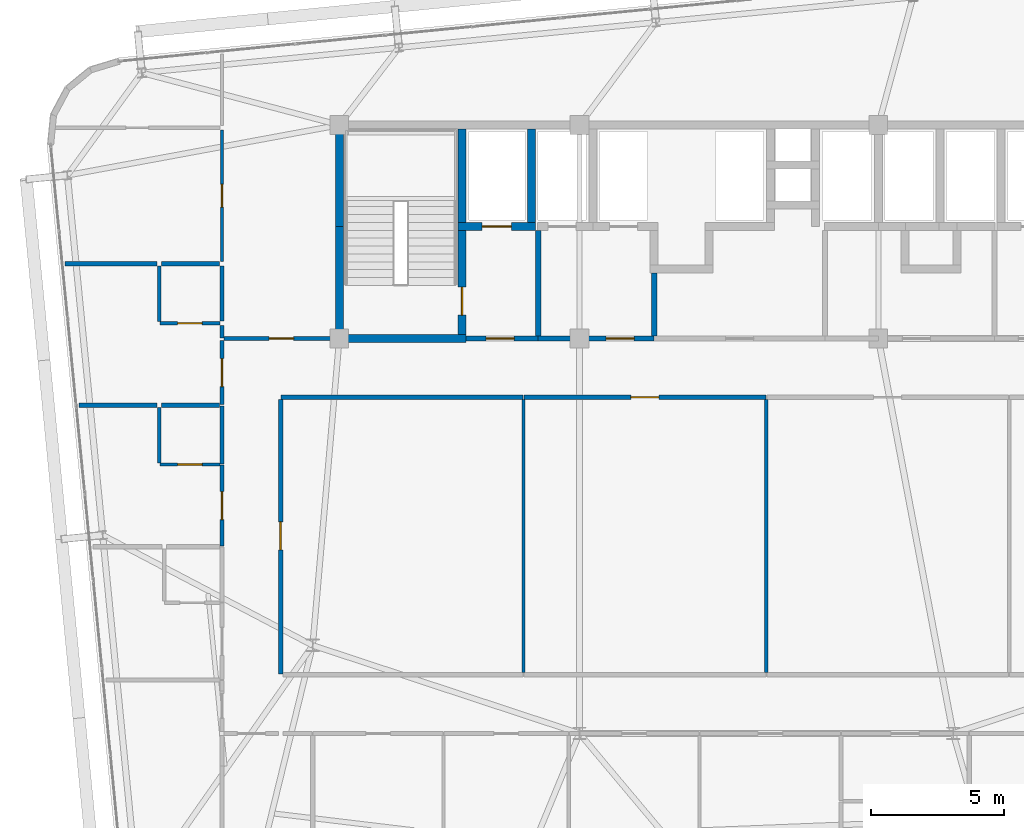
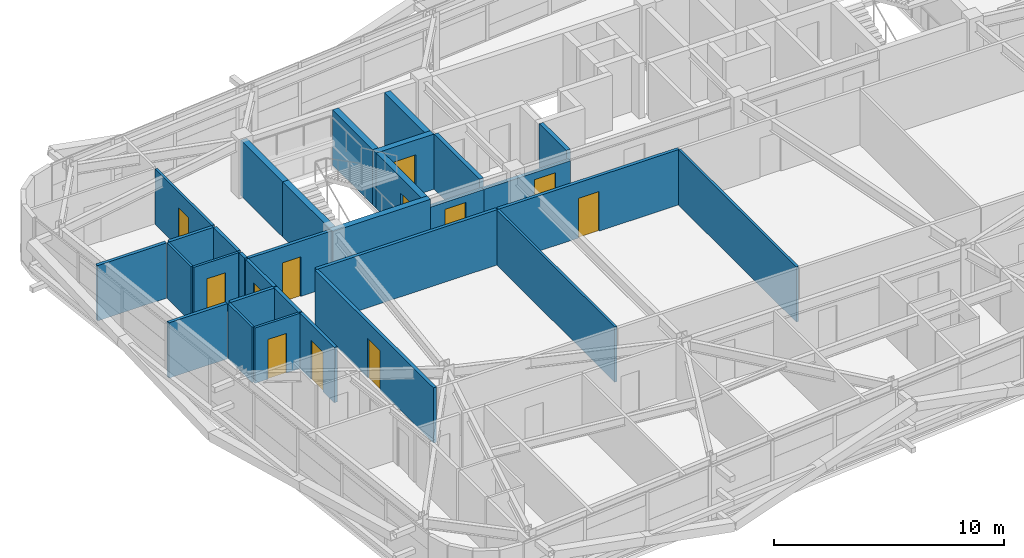
# One storey, part 47 of 53: 31 walls, 12 doors, 12 openings.
"""IFC4 building model written with IfcOpenShell, lengths in metres."""

from ifc_helpers import new_model, si_unit, direction, frame, frame_2d, origin, place, context, subcontext, project, spatial, rectangle, extrude, source, transform, mapped, material, layer, layer_set, type_object, element, fill, save


model = new_model("IFC4")

# Units and contexts
model_context = context("Model", 3, precision=1e-05, world=origin(), true_north=direction((0.0, 1.0)))
body_context = subcontext(model_context, "Body", "Model", "MODEL_VIEW")
ifc_project = project(units=[si_unit("LENGTHUNIT", "METRE"), si_unit("AREAUNIT", "SQUARE_METRE"), si_unit("VOLUMEUNIT", "CUBIC_METRE"), si_unit("PLANEANGLEUNIT", "RADIAN"), si_unit("MASSUNIT", "GRAM", prefix="KILO")], contexts=[model_context])

# Site, building, storey
site_placement = place(None, origin())
site = spatial("IfcSite", under=ifc_project, at=site_placement, CompositionType="ELEMENT")
building_placement = place(site_placement, origin())
building = spatial("IfcBuilding", under=site, at=building_placement, Name="Taldren Reach Tower", CompositionType="ELEMENT")
storey_placement = place(building_placement, frame((0.0, 0.0, 71.39990234375)))
storey = spatial("IfcBuildingStorey", under=building, at=storey_placement, Name="L21", CompositionType="ELEMENT", Elevation=71.39990234375)

# Wall, opening, door
ifc_material_1 = material(Name="Concrete S50 (50 MPa)", Category="concrete")
ifc_layer_1 = layer(ifc_material_1, 0.199951171875)
ifc_layer_set_1 = layer_set([ifc_layer_1], Name="Concrete S50 (50 MPa)")
wall_type_1 = type_object("IfcWallType", Name="IW-CORE-200", PredefinedType="SOLIDWALL", material=ifc_layer_set_1)
shared_shape_1 = source(origin(), body_context, "Body", "SweptSolid", [
    extrude(rectangle(XDim=4.35009765625, YDim=0.199951171875, at=frame_2d((2.175048828125, 0.0))), origin(), (0.0, 0.0, 1.0), 2.47021484375),
])
wall_1_placement = place(storey_placement, frame((30.800048828125, 24.0, 0.0), z_axis=(0.0, 0.0, 1.0), x_axis=(-1.0, 0.0, 0.0)))
wall_1 = element("IfcWall", 1, at=wall_1_placement, inside=storey, type_object=wall_type_1, Name="Rear Core Shear Wall W-INT-L21-033", PredefinedType="SOLIDWALL", context=body_context, shape_type="MappedRepresentation", body=[
    mapped(shared_shape_1, transform((0.0, 0.0, 0.0), scale=1.0)),
])
shared_shape_2 = source(origin(), body_context, "Body", "SweptSolid", [
    extrude(rectangle(XDim=1.050048828125, YDim=2.10009765625, at=frame_2d((0.52490234375, 1.050048828125))), frame((0.0, 0.10986328125, 0.0), z_axis=(0.0, -1.0, 0.0), x_axis=(1.0, 0.0, 0.0)), (0.0, 0.0, 1.0), 0.219970703125),
])
opening_1_placement = place(wall_1_placement, frame((0.75, 0.0, 0.0)))
opening_1 = element("IfcOpeningElement", 2, at=opening_1_placement, cuts=wall_1, Name="Opening DF-105", PredefinedType="OPENING", context=body_context, shape_type="MappedRepresentation", body=[
    mapped(shared_shape_2, transform((0.0, 0.0, 0.0), scale=1.0)),
])
ifc_material_2 = material(Name="Fire-Rated Care and Stair Exit Door")
door_type_1 = type_object("IfcDoorType", Name="ID-FIRE-105", OperationType="NOTDEFINED", PredefinedType="DOOR", material=ifc_material_2)
shared_shape_3 = source(origin(), body_context, "Body", "SweptSolid", [
    extrude(rectangle(XDim=1.050048828125, YDim=2.10009765625, at=frame_2d((0.52490234375, 1.050048828125))), frame((0.0, 0.02490234375, 0.0), z_axis=(0.0, -1.0, 0.0), x_axis=(1.0, 0.0, 0.0)), (0.0, 0.0, 1.0), 0.050048828125),
])
door_1_placement = place(opening_1_placement, frame((1.050048828125, 0.0, 0.0), z_axis=(0.0, 0.0, 1.0), x_axis=(-1.0, 0.0, 0.0)))
door_1 = element("IfcDoor", 3, at=door_1_placement, inside=storey, type_object=door_type_1, Name="Interior Door DR-L21-005", OperationType="SINGLE_SWING_RIGHT", OverallHeight=2.10009765625, OverallWidth=1.050048828125, PredefinedType="DOOR", context=body_context, shape_type="MappedRepresentation", body=[
    mapped(shared_shape_3, transform((0.0, 0.0, 0.0), scale=1.0)),
])
fill(opening_1, door_1)

ifc_material_3 = material(Name="Fire-Rated Acoustic Plasterboard Stud Wall", Category="gypsum")
ifc_layer_2 = layer(ifc_material_3, 0.159912109375)
ifc_layer_set_2 = layer_set([ifc_layer_2], Name="Fire-Rated Acoustic Plasterboard Stud Wall")
wall_type_2 = type_object("IfcWallType", Name="IW-FIRE-160", PredefinedType="PARTITIONING", material=ifc_layer_set_2)
shared_shape_4 = source(origin(), body_context, "Body", "SweptSolid", [
    extrude(rectangle(XDim=2.399658203125, YDim=0.159912109375, at=frame_2d((1.19970703125, 0.0))), origin(), (0.0, 0.0, 1.0), 2.93017578125),
])
wall_2_placement = place(storey_placement, frame((14.60009765625, 21.520263671875, 0.0), z_axis=(0.0, 0.0, 1.0), x_axis=(0.0, 1.0, 0.0)))
wall_2 = element("IfcWall", 4, at=wall_2_placement, inside=storey, type_object=wall_type_2, Name="Interior Partition Wall W-INT-L21-058", PredefinedType="PARTITIONING", context=body_context, shape_type="MappedRepresentation", body=[
    mapped(shared_shape_4, transform((0.0, 0.0, 0.0), scale=1.0)),
])
shared_shape_5 = source(origin(), body_context, "Body", "SweptSolid", [
    extrude(rectangle(XDim=1.050048828125, YDim=2.10009765625, at=frame_2d((0.52490234375, 1.050048828125))), frame((0.0, 0.08984375, 0.0), z_axis=(0.0, -1.0, 0.0), x_axis=(1.0, 0.0, 0.0)), (0.0, 0.0, 1.0), 0.179931640625),
])
opening_2_placement = place(wall_2_placement, frame((0.6748046875, 0.0, 0.0)))
opening_2 = element("IfcOpeningElement", 5, at=opening_2_placement, cuts=wall_2, Name="Opening DF-105", PredefinedType="OPENING", context=body_context, shape_type="MappedRepresentation", body=[
    mapped(shared_shape_5, transform((0.0, 0.0, 0.0), scale=1.0)),
])
door_2_placement = place(opening_2_placement, origin())
door_2 = element("IfcDoor", 6, at=door_2_placement, inside=storey, type_object=door_type_1, Name="Interior Door DR-L21-017", OperationType="SINGLE_SWING_RIGHT", OverallHeight=2.10009765625, OverallWidth=1.050048828125, PredefinedType="DOOR", context=body_context, shape_type="MappedRepresentation", body=[
    mapped(shared_shape_3, transform((0.0, 0.0, 0.0), scale=1.0)),
])
fill(opening_2, door_2)

# Walls
ifc_material_4 = material(Name="Concrete S65 (65 MPa)", Category="concrete")
ifc_layer_3 = layer(ifc_material_4, 0.300048828125)
ifc_layer_set_3 = layer_set([ifc_layer_3], Name="Concrete S65 (65 MPa)")
wall_type_3 = type_object("IfcWallType", Name="IW-CORE-300", PredefinedType="SHEAR", material=ifc_layer_set_3)
shared_shape_6 = source(origin(), body_context, "Body", "SweptSolid", [
    extrude(rectangle(XDim=4.050048828125, YDim=0.300048828125, at=frame_2d((2.02490234375, 0.0))), origin(), (0.0, 0.0, 1.0), 2.93017578125),
])
wall_3_placement = place(storey_placement, frame((19.0, 24.14990234375, 0.0), z_axis=(0.0, 0.0, 1.0), x_axis=(0.0, 1.0, 0.0)))
element("IfcWall", 7, at=wall_3_placement, inside=storey, type_object=wall_type_3, Name="Rear Core Shear Wall W-CORE-L21-WEST1", PredefinedType="SHEAR", context=body_context, shape_type="MappedRepresentation", body=[
    mapped(shared_shape_6, transform((0.0, 0.0, 0.0), scale=1.0)),
])
shared_shape_7 = source(origin(), body_context, "Body", "SweptSolid", [
    extrude(rectangle(XDim=3.650146484375, YDim=0.300048828125, at=frame_2d((1.8251953125, 0.0))), origin(), (0.0, 0.0, 1.0), 2.93017578125),
])
wall_4_placement = place(storey_placement, frame((19.0, 28.199951171875, 0.0), z_axis=(0.0, 0.0, 1.0), x_axis=(0.0, 1.0, 0.0)))
element("IfcWall", 8, at=wall_4_placement, inside=storey, type_object=wall_type_3, Name="Rear Core Shear Wall W-CORE-L21-WEST2", PredefinedType="SHEAR", context=body_context, shape_type="MappedRepresentation", body=[
    mapped(shared_shape_7, transform((0.0, 0.0, 0.0), scale=1.0)),
])
shared_shape_8 = source(origin(), body_context, "Body", "SweptSolid", [
    extrude(rectangle(XDim=3.5, YDim=0.300048828125, at=frame_2d((1.75, 0.0))), origin(), (0.0, 0.0, 1.0), 2.93017578125),
])
for number, where, z_axis, x_axis, name in (
    (9, (23.60009765625, 28.35009765625, 0.0), (0.0, 0.0, 1.0), (0.0, 1.0, 0.0), "Rear Core Shear Wall W-INT-L21-001"),
    (10, (26.199951171875, 28.35009765625, 0.0), (0.0, 0.0, 1.0), (0.0, 1.0, 0.0), "Rear Core Shear Wall W-INT-L21-005"),
):
    element("IfcWall", number, at=place(storey_placement, frame(where, z_axis=z_axis, x_axis=x_axis)), inside=storey, type_object=wall_type_3, Name=name, PredefinedType="SHEAR", context=body_context, shape_type="MappedRepresentation", body=[
        mapped(shared_shape_8, transform((0.0, 0.0, 0.0), scale=1.0)),
    ])

# Wall, opening, door
shared_shape_9 = source(origin(), body_context, "Body", "SweptSolid", [
    extrude(rectangle(XDim=3.900146484375, YDim=0.300048828125, at=frame_2d((1.9501953125, 0.0))), origin(), (0.0, 0.0, 1.0), 2.93017578125),
])
wall_5_placement = place(storey_placement, frame((23.60009765625, 24.14990234375, 0.0), z_axis=(0.0, 0.0, 1.0), x_axis=(0.0, 1.0, 0.0)))
wall_5 = element("IfcWall", 11, at=wall_5_placement, inside=storey, type_object=wall_type_3, Name="Rear Core Shear Wall W-INT-L21-002", PredefinedType="SHEAR", context=body_context, shape_type="MappedRepresentation", body=[
    mapped(shared_shape_9, transform((0.0, 0.0, 0.0), scale=1.0)),
])
shared_shape_10 = source(origin(), body_context, "Body", "SweptSolid", [
    extrude(rectangle(XDim=1.050048828125, YDim=2.10009765625, at=frame_2d((0.52490234375, 1.050048828125))), frame((0.0, 0.16015625, 0.0), z_axis=(0.0, -1.0, 0.0), x_axis=(1.0, 0.0, 0.0)), (0.0, 0.0, 1.0), 0.320068359375),
])
opening_3_placement = place(wall_5_placement, frame((0.72509765625, 0.0, 0.0)))
opening_3 = element("IfcOpeningElement", 12, at=opening_3_placement, cuts=wall_5, Name="Opening DF-105", PredefinedType="OPENING", context=body_context, shape_type="MappedRepresentation", body=[
    mapped(shared_shape_10, transform((0.0, 0.0, 0.0), scale=1.0)),
])
door_3_placement = place(opening_3_placement, origin())
door_3 = element("IfcDoor", 13, at=door_3_placement, inside=storey, type_object=door_type_1, Name="Fire Exit Stair Door DR-L21-001", OperationType="SINGLE_SWING_LEFT", OverallHeight=2.10009765625, OverallWidth=1.050048828125, PredefinedType="DOOR", context=body_context, shape_type="MappedRepresentation", body=[
    mapped(shared_shape_3, transform((0.0, 0.0, 0.0), scale=1.0)),
])
fill(opening_3, door_3)

# Wall
shared_shape_11 = source(origin(), body_context, "Body", "SweptSolid", [
    extrude(rectangle(XDim=4.89990234375, YDim=0.300048828125, at=frame_2d((2.449951171875, 0.0))), origin(), (0.0, 0.0, 1.0), 2.93017578125),
])
wall_6_placement = place(storey_placement, frame((18.85009765625, 24.0, 0.0), z_axis=(0.0, 0.0, 1.0), x_axis=(1.0, 0.0, 0.0)))
element("IfcWall", 14, at=wall_6_placement, inside=storey, type_object=wall_type_3, Name="Rear Core Shear Wall W-INT-L21-003", PredefinedType="SHEAR", context=body_context, shape_type="MappedRepresentation", body=[
    mapped(shared_shape_11, transform((0.0, 0.0, 0.0), scale=1.0)),
])

# Wall, opening, door
shared_shape_12 = source(origin(), body_context, "Body", "SweptSolid", [
    extrude(rectangle(XDim=2.900146484375, YDim=0.300048828125, at=frame_2d((1.4501953125, 0.0))), origin(), (0.0, 0.0, 1.0), 2.93017578125),
])
wall_7_placement = place(storey_placement, frame((23.449951171875, 28.199951171875, 0.0), z_axis=(0.0, 0.0, 1.0), x_axis=(1.0, 0.0, 0.0)))
wall_7 = element("IfcWall", 15, at=wall_7_placement, inside=storey, type_object=wall_type_3, Name="Rear Core Shear Wall W-INT-L21-004", PredefinedType="SHEAR", context=body_context, shape_type="MappedRepresentation", body=[
    mapped(shared_shape_12, transform((0.0, 0.0, 0.0), scale=1.0)),
])
shared_shape_13 = source(origin(), body_context, "Body", "SweptSolid", [
    extrude(rectangle(XDim=1.10009765625, YDim=2.14990234375, at=frame_2d((0.550048828125, 1.074951171875))), frame((0.0, 0.16015625, 0.0), z_axis=(0.0, -1.0, 0.0), x_axis=(1.0, 0.0, 0.0)), (0.0, 0.0, 1.0), 0.320068359375),
])
opening_4_placement = place(wall_7_placement, frame((0.89990234375, 0.0, 0.0)))
opening_4 = element("IfcOpeningElement", 16, at=opening_4_placement, cuts=wall_7, Name="Opening LD-FL1", PredefinedType="OPENING", context=body_context, shape_type="MappedRepresentation", body=[
    mapped(shared_shape_13, transform((0.0, 0.0, 0.0), scale=1.0)),
])
ifc_material_5 = material(Name="Stainless Steel Gr 316 Emergency Lift Landing Door", Category="steel")
door_type_2 = type_object("IfcDoorType", Name="LD-EMG-110", OperationType="SLIDING_TO_LEFT", PredefinedType="DOOR", material=ifc_material_5)
shared_shape_14 = source(origin(), body_context, "Body", "SweptSolid", [
    extrude(rectangle(XDim=1.10009765625, YDim=2.14990234375, at=frame_2d((0.550048828125, 1.074951171875))), frame((0.0, 0.02490234375, 0.0), z_axis=(0.0, -1.0, 0.0), x_axis=(1.0, 0.0, 0.0)), (0.0, 0.0, 1.0), 0.050048828125),
])
door_4_placement = place(opening_4_placement, origin())
door_4 = element("IfcDoor", 17, at=door_4_placement, inside=storey, type_object=door_type_2, Name="Lift Landing Door LD-FL1-L21", OperationType="SLIDING_TO_LEFT", OverallHeight=2.14990234375, OverallWidth=1.10009765625, PredefinedType="DOOR", context=body_context, shape_type="MappedRepresentation", body=[
    mapped(shared_shape_14, transform((0.0, 0.0, 0.0), scale=1.0)),
])
fill(opening_4, door_4)

# Wall
shared_shape_15 = source(origin(), body_context, "Body", "SweptSolid", [
    extrude(rectangle(XDim=3.949951171875, YDim=0.199951171875, at=frame_2d((1.97509765625, 0.0))), origin(), (0.0, 0.0, 1.0), 2.93017578125),
])
wall_8_placement = place(storey_placement, frame((26.449951171875, 24.10009765625, 0.0), z_axis=(0.0, 0.0, 1.0), x_axis=(0.0, 1.0, 0.0)))
element("IfcWall", 18, at=wall_8_placement, inside=storey, type_object=wall_type_1, Name="Rear Core Shear Wall W-INT-L21-006", PredefinedType="SOLIDWALL", context=body_context, shape_type="MappedRepresentation", body=[
    mapped(shared_shape_15, transform((0.0, 0.0, 0.0), scale=1.0)),
])

# Wall, opening, door
shared_shape_16 = source(origin(), body_context, "Body", "SweptSolid", [
    extrude(rectangle(XDim=2.699951171875, YDim=0.199951171875, at=frame_2d((1.35009765625, 0.0))), origin(), (0.0, 0.0, 1.0), 2.47021484375),
])
wall_9_placement = place(storey_placement, frame((23.75, 24.0, 0.0), z_axis=(0.0, 0.0, 1.0), x_axis=(1.0, 0.0, 0.0)))
wall_9 = element("IfcWall", 19, at=wall_9_placement, inside=storey, type_object=wall_type_1, Name="Rear Core Shear Wall W-INT-L21-007", PredefinedType="SOLIDWALL", context=body_context, shape_type="MappedRepresentation", body=[
    mapped(shared_shape_16, transform((0.0, 0.0, 0.0), scale=1.0)),
])
opening_5_placement = place(wall_9_placement, frame((0.75, 0.0, 0.0)))
opening_5 = element("IfcOpeningElement", 20, at=opening_5_placement, cuts=wall_9, Name="Opening DF-105", PredefinedType="OPENING", context=body_context, shape_type="MappedRepresentation", body=[
    mapped(shared_shape_2, transform((0.0, 0.0, 0.0), scale=1.0)),
])
door_5_placement = place(opening_5_placement, origin())
door_5 = element("IfcDoor", 21, at=door_5_placement, inside=storey, type_object=door_type_1, Name="Interior Door DR-L21-002", OperationType="SINGLE_SWING_LEFT", OverallHeight=2.10009765625, OverallWidth=1.050048828125, PredefinedType="DOOR", context=body_context, shape_type="MappedRepresentation", body=[
    mapped(shared_shape_3, transform((0.0, 0.0, 0.0), scale=1.0)),
])
fill(opening_5, door_5)

# Wall
shared_shape_17 = source(origin(), body_context, "Body", "SweptSolid", [
    extrude(rectangle(XDim=2.349853515625, YDim=0.199951171875, at=frame_2d((1.1748046875, 0.0))), origin(), (0.0, 0.0, 1.0), 2.93017578125),
])
wall_10_placement = place(storey_placement, frame((30.800048828125, 26.449951171875, 0.0), z_axis=(0.0, 0.0, 1.0), x_axis=(0.0, -1.0, 0.0)))
element("IfcWall", 22, at=wall_10_placement, inside=storey, type_object=wall_type_1, Name="Rear Core Shear Wall W-INT-L21-032", PredefinedType="SOLIDWALL", context=body_context, shape_type="MappedRepresentation", body=[
    mapped(shared_shape_17, transform((0.0, 0.0, 0.0), scale=1.0)),
])

# Wall, opening, door
shared_shape_18 = source(origin(), body_context, "Body", "SweptSolid", [
    extrude(rectangle(XDim=10.2998046875, YDim=0.159912109375, at=frame_2d((5.14990234375, 0.0))), origin(), (0.0, 0.0, 1.0), 2.93017578125),
])
wall_11_placement = place(storey_placement, frame((16.800048828125, 21.719970703125, 0.0), z_axis=(0.0, 0.0, 1.0), x_axis=(0.0, -1.0, 0.0)))
wall_11 = element("IfcWall", 23, at=wall_11_placement, inside=storey, type_object=wall_type_2, Name="Interior Partition Wall W-INT-L21-045", PredefinedType="PARTITIONING", context=body_context, shape_type="MappedRepresentation", body=[
    mapped(shared_shape_18, transform((0.0, 0.0, 0.0), scale=1.0)),
])
opening_6_placement = place(wall_11_placement, frame((4.594970703125, 0.0, 0.0)))
opening_6 = element("IfcOpeningElement", 24, at=opening_6_placement, cuts=wall_11, Name="Opening DF-105", PredefinedType="OPENING", context=body_context, shape_type="MappedRepresentation", body=[
    mapped(shared_shape_5, transform((0.0, 0.0, 0.0), scale=1.0)),
])
door_6_placement = place(opening_6_placement, origin())
door_6 = element("IfcDoor", 25, at=door_6_placement, inside=storey, type_object=door_type_1, Name="Interior Door DR-L21-008", OperationType="SINGLE_SWING_LEFT", OverallHeight=2.10009765625, OverallWidth=1.050048828125, PredefinedType="DOOR", context=body_context, shape_type="MappedRepresentation", body=[
    mapped(shared_shape_3, transform((0.0, 0.0, 0.0), scale=1.0)),
])
fill(opening_6, door_6)

# Wall
shared_shape_19 = source(origin(), body_context, "Body", "SweptSolid", [
    extrude(rectangle(XDim=9.0595703125, YDim=0.159912109375, at=frame_2d((4.52978515625, 0.0))), origin(), (0.0, 0.0, 1.0), 2.93017578125),
])
wall_12_placement = place(storey_placement, frame((25.8798828125, 21.800048828125, 0.0), z_axis=(0.0, 0.0, 1.0), x_axis=(-1.0, 0.0, 0.0)))
element("IfcWall", 26, at=wall_12_placement, inside=storey, type_object=wall_type_2, Name="Interior Partition Wall W-INT-L21-046", PredefinedType="PARTITIONING", context=body_context, shape_type="MappedRepresentation", body=[
    mapped(shared_shape_19, transform((0.0, 0.0, 0.0), scale=1.0)),
])

# Wall, opening, door
wall_13_placement = place(storey_placement, frame((34.979736328125, 21.800048828125, 0.0), z_axis=(0.0, 0.0, 1.0), x_axis=(-1.0, 0.0, 0.0)))
wall_13 = element("IfcWall", 27, at=wall_13_placement, inside=storey, type_object=wall_type_2, Name="Interior Partition Wall W-INT-L21-047", PredefinedType="PARTITIONING", context=body_context, shape_type="MappedRepresentation", body=[
    mapped(shared_shape_19, transform((0.0, 0.0, 0.0), scale=1.0)),
])
opening_7_placement = place(wall_13_placement, frame((4.0048828125, 0.0, 0.0)))
opening_7 = element("IfcOpeningElement", 28, at=opening_7_placement, cuts=wall_13, Name="Opening DF-105", PredefinedType="OPENING", context=body_context, shape_type="MappedRepresentation", body=[
    mapped(shared_shape_5, transform((0.0, 0.0, 0.0), scale=1.0)),
])
door_7_placement = place(opening_7_placement, origin())
door_7 = element("IfcDoor", 29, at=door_7_placement, inside=storey, type_object=door_type_1, Name="Interior Door DR-L21-009", OperationType="SINGLE_SWING_RIGHT", OverallHeight=2.10009765625, OverallWidth=1.050048828125, PredefinedType="DOOR", context=body_context, shape_type="MappedRepresentation", body=[
    mapped(shared_shape_3, transform((0.0, 0.0, 0.0), scale=1.0)),
])
fill(opening_7, door_7)

shared_shape_20 = source(origin(), body_context, "Body", "SweptSolid", [
    extrude(rectangle(XDim=3.03369140625, YDim=0.159912109375, at=frame_2d((1.516845703125, 0.0))), origin(), (0.0, 0.0, 1.0), 2.93017578125),
])
wall_14_placement = place(storey_placement, frame((14.60009765625, 16.22021484375, 0.0), z_axis=(0.0, 0.0, 1.0), x_axis=(0.0, 1.0, 0.0)))
wall_14 = element("IfcWall", 30, at=wall_14_placement, inside=storey, type_object=wall_type_2, Name="Interior Partition Wall W-INT-L21-056", PredefinedType="PARTITIONING", context=body_context, shape_type="MappedRepresentation", body=[
    mapped(shared_shape_20, transform((0.0, 0.0, 0.0), scale=1.0)),
])
opening_8_placement = place(wall_14_placement, frame((0.99169921875, 0.0, 0.0)))
opening_8 = element("IfcOpeningElement", 31, at=opening_8_placement, cuts=wall_14, Name="Opening DF-105", PredefinedType="OPENING", context=body_context, shape_type="MappedRepresentation", body=[
    mapped(shared_shape_5, transform((0.0, 0.0, 0.0), scale=1.0)),
])
door_8_placement = place(opening_8_placement, origin())
door_8 = element("IfcDoor", 32, at=door_8_placement, inside=storey, type_object=door_type_1, Name="Interior Door DR-L21-016", OperationType="SINGLE_SWING_LEFT", OverallHeight=2.10009765625, OverallWidth=1.050048828125, PredefinedType="DOOR", context=body_context, shape_type="MappedRepresentation", body=[
    mapped(shared_shape_3, transform((0.0, 0.0, 0.0), scale=1.0)),
])
fill(opening_8, door_8)

# Wall
shared_shape_21 = source(origin(), body_context, "Body", "SweptSolid", [
    extrude(rectangle(XDim=2.185546875, YDim=0.159912109375, at=frame_2d((1.0927734375, 0.0))), origin(), (0.0, 0.0, 1.0), 2.93017578125),
])
wall_15_placement = place(storey_placement, frame((14.60009765625, 19.294189453125, 0.0), z_axis=(0.0, 0.0, 1.0), x_axis=(0.0, 1.0, 0.0)))
element("IfcWall", 33, at=wall_15_placement, inside=storey, type_object=wall_type_2, Name="Interior Partition Wall W-INT-L21-057", PredefinedType="PARTITIONING", context=body_context, shape_type="MappedRepresentation", body=[
    mapped(shared_shape_21, transform((0.0, 0.0, 0.0), scale=1.0)),
])

# Wall, opening, door
shared_shape_22 = source(origin(), body_context, "Body", "SweptSolid", [
    extrude(rectangle(XDim=4.170166015625, YDim=0.159912109375, at=frame_2d((2.0849609375, 0.0))), origin(), (0.0, 0.0, 1.0), 2.93017578125),
])
wall_16_placement = place(storey_placement, frame((14.679931640625, 24.0, 0.0), z_axis=(0.0, 0.0, 1.0), x_axis=(1.0, 0.0, 0.0)))
wall_16 = element("IfcWall", 34, at=wall_16_placement, inside=storey, type_object=wall_type_2, Name="Interior Partition Wall W-INT-L21-063", PredefinedType="PARTITIONING", context=body_context, shape_type="MappedRepresentation", body=[
    mapped(shared_shape_22, transform((0.0, 0.0, 0.0), scale=1.0)),
])
shared_shape_23 = source(origin(), body_context, "Body", "SweptSolid", [
    extrude(rectangle(XDim=0.919921875, YDim=2.10009765625, at=frame_2d((0.4599609375, 1.050048828125))), frame((0.0, 0.08984375, 0.0), z_axis=(0.0, -1.0, 0.0), x_axis=(1.0, 0.0, 0.0)), (0.0, 0.0, 1.0), 0.179931640625),
])
opening_9_placement = place(wall_16_placement, frame((1.68994140625, 0.0, 0.0)))
opening_9 = element("IfcOpeningElement", 35, at=opening_9_placement, cuts=wall_16, Name="Opening DI-092", PredefinedType="OPENING", context=body_context, shape_type="MappedRepresentation", body=[
    mapped(shared_shape_23, transform((0.0, 0.0, 0.0), scale=1.0)),
])
ifc_material_6 = material(Name="Solid-Core Timber Suite Door", Category="wood")
door_type_3 = type_object("IfcDoorType", Name="ID-INT-092", OperationType="NOTDEFINED", PredefinedType="DOOR", material=ifc_material_6)
shared_shape_24 = source(origin(), body_context, "Body", "SweptSolid", [
    extrude(rectangle(XDim=0.919921875, YDim=2.10009765625, at=frame_2d((0.4599609375, 1.050048828125))), frame((0.0, 0.02490234375, 0.0), z_axis=(0.0, -1.0, 0.0), x_axis=(1.0, 0.0, 0.0)), (0.0, 0.0, 1.0), 0.050048828125),
])
door_9_placement = place(opening_9_placement, origin())
door_9 = element("IfcDoor", 36, at=door_9_placement, inside=storey, type_object=door_type_3, Name="Interior Door DR-L21-022", OperationType="SINGLE_SWING_LEFT", OverallHeight=2.10009765625, OverallWidth=0.919921875, PredefinedType="DOOR", context=body_context, shape_type="MappedRepresentation", body=[
    mapped(shared_shape_24, transform((0.0, 0.0, 0.0), scale=1.0)),
])
fill(opening_9, door_9)

# Walls
ifc_material_7 = material(Name="Insulated Residential Stud Partition", Category="gypsum")
ifc_layer_4 = layer(ifc_material_7, 0.1201171875)
ifc_layer_set_4 = layer_set([ifc_layer_4], Name="Insulated Residential Stud Partition")
wall_type_4 = type_object("IfcWallType", Name="IW-PART-120", PredefinedType="PARTITIONING", material=ifc_layer_set_4)
shared_shape_25 = source(origin(), body_context, "Body", "SweptSolid", [
    extrude(rectangle(XDim=10.239990234375, YDim=0.1201171875, at=frame_2d((5.1201171875, 0.0))), origin(), (0.0, 0.0, 1.0), 2.93017578125),
])
for number, where, z_axis, x_axis, name in (
    (37, (25.89990234375, 21.719970703125, 0.0), (0.0, 0.0, 1.0), (0.0, -1.0, 0.0), "Interior Partition Wall W-INT-L21-078"),
    (38, (35.0, 21.719970703125, 0.0), (0.0, 0.0, 1.0), (0.0, -1.0, 0.0), "Interior Partition Wall W-INT-L21-079"),
):
    element("IfcWall", number, at=place(storey_placement, frame(where, z_axis=z_axis, x_axis=x_axis)), inside=storey, type_object=wall_type_4, Name=name, PredefinedType="PARTITIONING", context=body_context, shape_type="MappedRepresentation", body=[
        mapped(shared_shape_25, transform((0.0, 0.0, 0.0), scale=1.0)),
    ])

# Wall, opening, door
shared_shape_26 = source(origin(), body_context, "Body", "SweptSolid", [
    extrude(rectangle(XDim=2.249755859375, YDim=0.1201171875, at=frame_2d((1.125, 0.0))), origin(), (0.0, 0.0, 1.0), 2.93017578125),
])
wall_17_placement = place(storey_placement, frame((12.270263671875, 19.27392578125, 0.0), z_axis=(0.0, 0.0, 1.0), x_axis=(1.0, 0.0, 0.0)))
wall_17 = element("IfcWall", 39, at=wall_17_placement, inside=storey, type_object=wall_type_4, Name="Interior Partition Wall W-INT-L21-119", PredefinedType="PARTITIONING", context=body_context, shape_type="MappedRepresentation", body=[
    mapped(shared_shape_26, transform((0.0, 0.0, 0.0), scale=1.0)),
])
shared_shape_27 = source(origin(), body_context, "Body", "SweptSolid", [
    extrude(rectangle(XDim=0.919921875, YDim=2.10009765625, at=frame_2d((0.4599609375, 1.050048828125))), frame((0.0, 0.070068359375, 0.0), z_axis=(0.0, -1.0, 0.0), x_axis=(1.0, 0.0, 0.0)), (0.0, 0.0, 1.0), 0.14013671875),
])
opening_10_placement = place(wall_17_placement, frame((0.664794921875, 0.0, 0.0)))
opening_10 = element("IfcOpeningElement", 40, at=opening_10_placement, cuts=wall_17, Name="Opening DI-092", PredefinedType="OPENING", context=body_context, shape_type="MappedRepresentation", body=[
    mapped(shared_shape_27, transform((0.0, 0.0, 0.0), scale=1.0)),
])
door_10_placement = place(opening_10_placement, origin())
door_10 = element("IfcDoor", 41, at=door_10_placement, inside=storey, type_object=door_type_3, Name="Interior Door DR-L21-036", OperationType="SINGLE_SWING_LEFT", OverallHeight=2.10009765625, OverallWidth=0.919921875, PredefinedType="DOOR", context=body_context, shape_type="MappedRepresentation", body=[
    mapped(shared_shape_24, transform((0.0, 0.0, 0.0), scale=1.0)),
])
fill(opening_10, door_10)

wall_18_placement = place(storey_placement, frame((12.270263671875, 24.573974609375, 0.0), z_axis=(0.0, 0.0, 1.0), x_axis=(1.0, 0.0, 0.0)))
wall_18 = element("IfcWall", 42, at=wall_18_placement, inside=storey, type_object=wall_type_4, Name="Interior Partition Wall W-INT-L21-123", PredefinedType="PARTITIONING", context=body_context, shape_type="MappedRepresentation", body=[
    mapped(shared_shape_26, transform((0.0, 0.0, 0.0), scale=1.0)),
])
opening_11_placement = place(wall_18_placement, frame((0.664794921875, 0.0, 0.0)))
opening_11 = element("IfcOpeningElement", 43, at=opening_11_placement, cuts=wall_18, Name="Opening DI-092", PredefinedType="OPENING", context=body_context, shape_type="MappedRepresentation", body=[
    mapped(shared_shape_27, transform((0.0, 0.0, 0.0), scale=1.0)),
])
door_11_placement = place(opening_11_placement, origin())
door_11 = element("IfcDoor", 44, at=door_11_placement, inside=storey, type_object=door_type_3, Name="Interior Door DR-L21-037", OperationType="SINGLE_SWING_RIGHT", OverallHeight=2.10009765625, OverallWidth=0.919921875, PredefinedType="DOOR", context=body_context, shape_type="MappedRepresentation", body=[
    mapped(shared_shape_24, transform((0.0, 0.0, 0.0), scale=1.0)),
])
fill(opening_11, door_11)

# Walls
shared_shape_28 = source(origin(), body_context, "Body", "SweptSolid", [
    extrude(rectangle(XDim=2.0859375, YDim=0.1201171875, at=frame_2d((1.04296875, 0.0))), origin(), (0.0, 0.0, 1.0), 2.93017578125),
])
for number, where, z_axis, x_axis, name in (
    (45, (12.25, 21.419921875, 0.0), (0.0, 0.0, 1.0), (0.0, -1.0, 0.0), "Interior Partition Wall W-INT-L21-120"),
    (46, (12.25, 26.719970703125, 0.0), (0.0, 0.0, 1.0), (0.0, -1.0, 0.0), "Interior Partition Wall W-INT-L21-124"),
):
    element("IfcWall", number, at=place(storey_placement, frame(where, z_axis=z_axis, x_axis=x_axis)), inside=storey, type_object=wall_type_4, Name=name, PredefinedType="PARTITIONING", context=body_context, shape_type="MappedRepresentation", body=[
        mapped(shared_shape_28, transform((0.0, 0.0, 0.0), scale=1.0)),
    ])
shared_shape_29 = source(origin(), body_context, "Body", "SweptSolid", [
    extrude(rectangle(XDim=2.928955078125, YDim=0.159912109375, at=frame_2d((1.46435546875, 0.0))), origin(), (0.0, 0.0, 1.0), 2.93017578125),
])
wall_19_placement = place(storey_placement, frame((9.240966796875, 21.5, 0.0), z_axis=(0.0, 0.0, 1.0), x_axis=(1.0, 0.0, 0.0)))
element("IfcWall", 47, at=wall_19_placement, inside=storey, type_object=wall_type_2, Name="Interior Partition Wall W-INT-L21-121", PredefinedType="PARTITIONING", context=body_context, shape_type="MappedRepresentation", body=[
    mapped(shared_shape_29, transform((0.0, 0.0, 0.0), scale=1.0)),
])
shared_shape_30 = source(origin(), body_context, "Body", "SweptSolid", [
    extrude(rectangle(XDim=2.18798828125, YDim=0.159912109375, at=frame_2d((1.093994140625, 0.0))), origin(), (0.0, 0.0, 1.0), 2.93017578125),
])
for number, where, z_axis, x_axis, name in (
    (48, (12.330078125, 21.5, 0.0), (0.0, 0.0, 1.0), (1.0, 0.0, 0.0), "Interior Partition Wall W-INT-L21-122"),
    (49, (12.330078125, 26.800048828125, 0.0), (0.0, 0.0, 1.0), (1.0, 0.0, 0.0), "Interior Partition Wall W-INT-L21-127"),
):
    element("IfcWall", number, at=place(storey_placement, frame(where, z_axis=z_axis, x_axis=x_axis)), inside=storey, type_object=wall_type_2, Name=name, PredefinedType="PARTITIONING", context=body_context, shape_type="MappedRepresentation", body=[
        mapped(shared_shape_30, transform((0.0, 0.0, 0.0), scale=1.0)),
    ])
shared_shape_31 = source(origin(), body_context, "Body", "SweptSolid", [
    extrude(rectangle(XDim=3.44873046875, YDim=0.159912109375, at=frame_2d((1.724365234375, 0.0))), origin(), (0.0, 0.0, 1.0), 2.93017578125),
])
wall_20_placement = place(storey_placement, frame((8.72119140625, 26.800048828125, 0.0), z_axis=(0.0, 0.0, 1.0), x_axis=(1.0, 0.0, 0.0)))
element("IfcWall", 50, at=wall_20_placement, inside=storey, type_object=wall_type_2, Name="Interior Partition Wall W-INT-L21-125", PredefinedType="PARTITIONING", context=body_context, shape_type="MappedRepresentation", body=[
    mapped(shared_shape_31, transform((0.0, 0.0, 0.0), scale=1.0)),
])
shared_shape_32 = source(origin(), body_context, "Body", "SweptSolid", [
    extrude(rectangle(XDim=0.4736328125, YDim=0.159912109375, at=frame_2d((0.23681640625, 0.0))), origin(), (0.0, 0.0, 1.0), 2.93017578125),
])
wall_21_placement = place(storey_placement, frame((14.60009765625, 24.493896484375, 0.0), z_axis=(0.0, 0.0, 1.0), x_axis=(0.0, -1.0, 0.0)))
element("IfcWall", 51, at=wall_21_placement, inside=storey, type_object=wall_type_2, Name="Interior Partition Wall W-INT-L21-126", PredefinedType="PARTITIONING", context=body_context, shape_type="MappedRepresentation", body=[
    mapped(shared_shape_32, transform((0.0, 0.0, 0.0), scale=1.0)),
])
shared_shape_33 = source(origin(), body_context, "Body", "SweptSolid", [
    extrude(rectangle(XDim=2.06396484375, YDim=0.159912109375, at=frame_2d((1.031982421875, 0.0))), origin(), (0.0, 0.0, 1.0), 2.93017578125),
])
wall_22_placement = place(storey_placement, frame((14.60009765625, 26.718017578125, 0.0), z_axis=(0.0, 0.0, 1.0), x_axis=(0.0, -1.0, 0.0)))
element("IfcWall", 52, at=wall_22_placement, inside=storey, type_object=wall_type_2, Name="Interior Partition Wall W-INT-L21-128", PredefinedType="PARTITIONING", context=body_context, shape_type="MappedRepresentation", body=[
    mapped(shared_shape_33, transform((0.0, 0.0, 0.0), scale=1.0)),
])

# Wall, opening, door
shared_shape_34 = source(origin(), body_context, "Body", "SweptSolid", [
    extrude(rectangle(XDim=4.940185546875, YDim=0.1201171875, at=frame_2d((2.47021484375, 0.0))), origin(), (0.0, 0.0, 1.0), 2.93017578125),
])
wall_23_placement = place(storey_placement, frame((14.60009765625, 31.820068359375, 0.0), z_axis=(0.0, 0.0, 1.0), x_axis=(0.0, -1.0, 0.0)))
wall_23 = element("IfcWall", 53, at=wall_23_placement, inside=storey, type_object=wall_type_4, Name="Interior Partition Wall W-INT-L21-130", PredefinedType="PARTITIONING", context=body_context, shape_type="MappedRepresentation", body=[
    mapped(shared_shape_34, transform((0.0, 0.0, 0.0), scale=1.0)),
])
shared_shape_35 = source(origin(), body_context, "Body", "SweptSolid", [
    extrude(rectangle(XDim=0.860107421875, YDim=2.10009765625, at=frame_2d((0.43017578125, 1.050048828125))), frame((0.0, 0.070068359375, 0.0), z_axis=(0.0, -1.0, 0.0), x_axis=(1.0, 0.0, 0.0)), (0.0, 0.0, 1.0), 0.14013671875),
])
opening_12_placement = place(wall_23_placement, frame((2.0400390625, 0.0, 0.0)))
opening_12 = element("IfcOpeningElement", 54, at=opening_12_placement, cuts=wall_23, Name="Opening DI-086", PredefinedType="OPENING", context=body_context, shape_type="MappedRepresentation", body=[
    mapped(shared_shape_35, transform((0.0, 0.0, 0.0), scale=1.0)),
])
ifc_material_8 = material(Name="Timber Bathroom Door", Category="wood")
door_type_4 = type_object("IfcDoorType", Name="ID-INT-086", OperationType="NOTDEFINED", PredefinedType="DOOR", material=ifc_material_8)
shared_shape_36 = source(origin(), body_context, "Body", "SweptSolid", [
    extrude(rectangle(XDim=0.860107421875, YDim=2.10009765625, at=frame_2d((0.43017578125, 1.050048828125))), frame((0.0, 0.02490234375, 0.0), z_axis=(0.0, -1.0, 0.0), x_axis=(1.0, 0.0, 0.0)), (0.0, 0.0, 1.0), 0.050048828125),
])
door_12_placement = place(opening_12_placement, frame((0.860107421875, 0.0, 0.0), z_axis=(0.0, 0.0, 1.0), x_axis=(-1.0, 0.0, 0.0)))
door_12 = element("IfcDoor", 55, at=door_12_placement, inside=storey, type_object=door_type_4, Name="Interior Door DR-L21-038", OperationType="SINGLE_SWING_RIGHT", OverallHeight=2.10009765625, OverallWidth=0.860107421875, PredefinedType="DOOR", context=body_context, shape_type="MappedRepresentation", body=[
    mapped(shared_shape_36, transform((0.0, 0.0, 0.0), scale=1.0)),
])
fill(opening_12, door_12)

save(model, "model.ifc")
